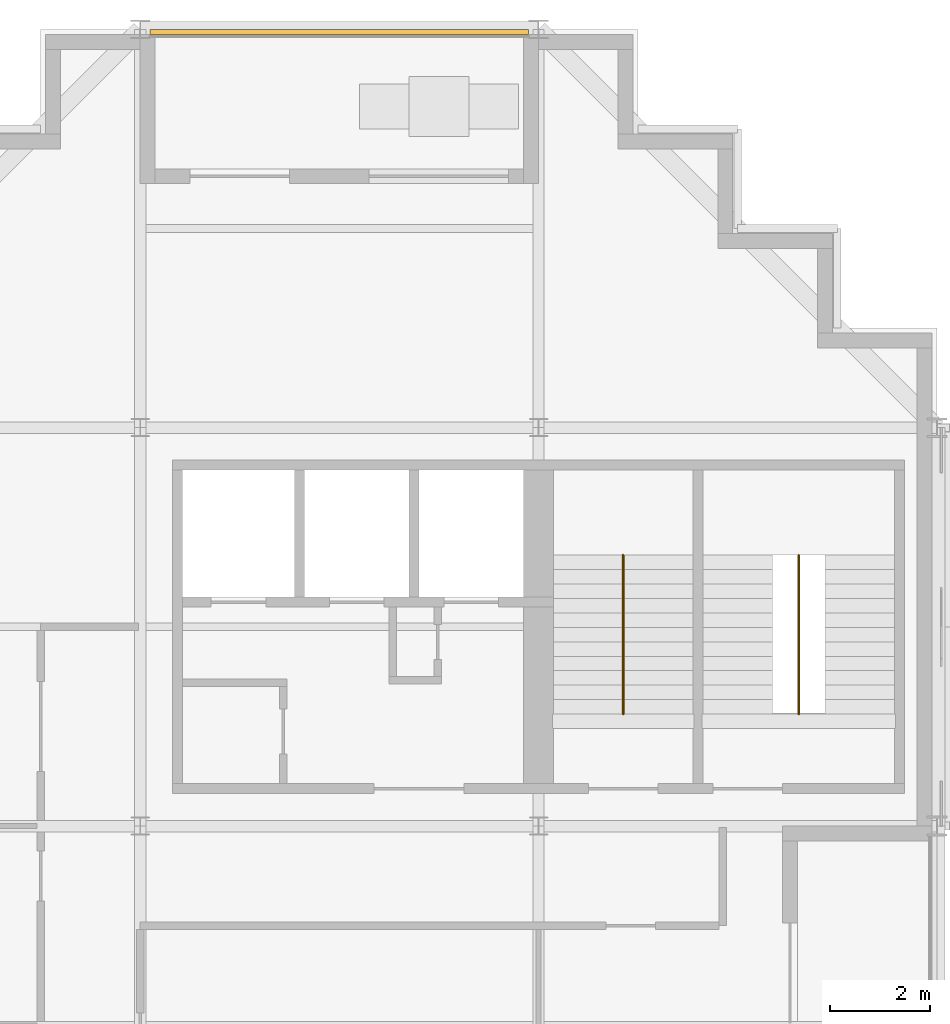
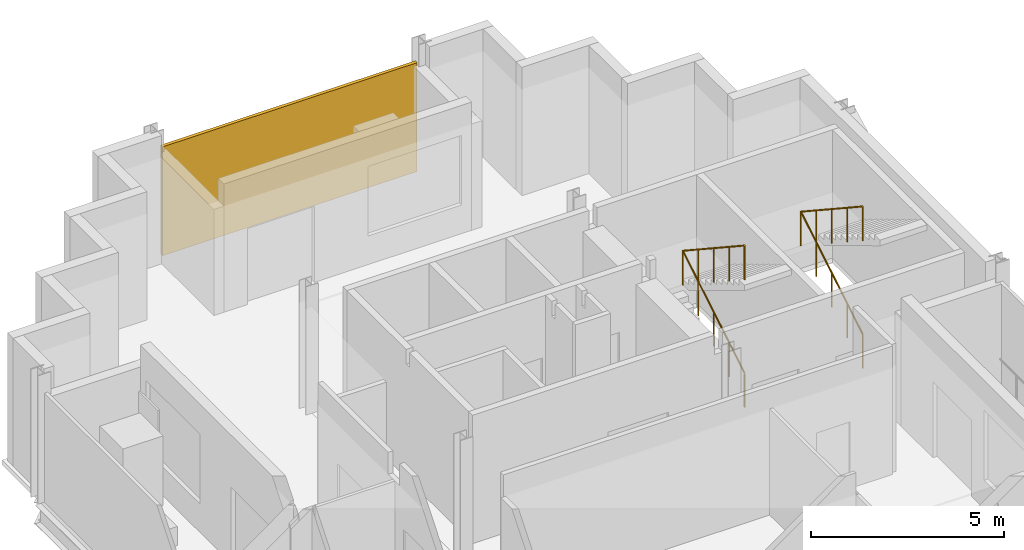
# One storey, part 11 of 12: 2 railings, 1 shading device.
"""IFC4 building model written with IfcOpenShell, lengths in metres."""

from ifc_helpers import new_model, si_unit, direction, frame, origin, origin_2d, place, context, subcontext, project, spatial, rectangle, circle, extrude, material, layer, layer_set, type_object, element, save


model = new_model("IFC4")

# Units and contexts
model_context = context("Model", 3, precision=1e-05, world=origin(), true_north=direction((0.0, 1.0)))
body_context = subcontext(model_context, "Body", "Model", "MODEL_VIEW")
ifc_project = project(units=[si_unit("LENGTHUNIT", "METRE"), si_unit("AREAUNIT", "SQUARE_METRE"), si_unit("VOLUMEUNIT", "CUBIC_METRE"), si_unit("PLANEANGLEUNIT", "RADIAN"), si_unit("MASSUNIT", "GRAM", prefix="KILO")], contexts=[model_context])

# Site, building, storey
site_placement = place(None, origin())
site = spatial("IfcSite", under=ifc_project, at=site_placement, CompositionType="ELEMENT")
building_placement = place(site_placement, origin())
building = spatial("IfcBuilding", under=site, at=building_placement, Name="Immortelle Media Tower", CompositionType="ELEMENT")
storey_placement = place(building_placement, frame((0.0, 0.0, 153.60009765625)))
storey = spatial("IfcBuildingStorey", under=building, at=storey_placement, Name="L31", CompositionType="ELEMENT", Elevation=153.60009765625)

# Shading device
ifc_material_1 = material(Name="Pale aluminium louvre blades", Category="aluminium")
ifc_layer = layer(ifc_material_1, 0.10009765625)
ifc_layer_set = layer_set([ifc_layer], Name="Pale aluminium louvre blades")
shading_device_type = type_object("IfcShadingDeviceType", Name="Jalousie screen 100", PredefinedType="JALOUSIE", material=ifc_layer_set)
shading_device_placement = place(storey_placement, frame((12.0, 47.949951171875, 0.0), z_axis=(0.0, 0.0, 1.0), x_axis=(-1.0, 0.0, 0.0)))
element("IfcShadingDevice", 1, at=shading_device_placement, inside=storey, type_object=shading_device_type, Name="Jalousie screen L31 N0", PredefinedType="JALOUSIE", context=body_context, shape_type="SweptSolid", body=[
    extrude(rectangle(XDim=7.60595703125, YDim=0.10009765625, at=origin_2d()), origin(), (0.0, 0.0, 1.0), 3.43798828125),
])

# Railings
ifc_material_2 = material(Name="Stainless steel AISI 316", Category="steel")
railing_type = type_object("IfcRailingType", Name="Stair guard 1100", PredefinedType="GUARDRAIL", material=ifc_material_2)
for number, where, name in (
    (2, (17.699951171875, 34.25, 0.1748046875), "Stair guard NW1"),
    (3, (21.22509765625, 34.25, 0.1748046875), "Stair guard NW2"),
):
    element("IfcRailing", number, at=place(storey_placement, frame(where)), inside=storey, type_object=railing_type, Name=name, PredefinedType="GUARDRAIL", context=body_context, shape_type="SweptSolid", body=[
        extrude(circle(Radius=0.02392578125, at=origin_2d()), frame((0.0, 0.0, 1.076171875), z_axis=(0.0, 0.856177665481, 0.516681531633), x_axis=(-1.0, 0.0, 0.0)), (0.0, 0.0, 1.0), 3.725830078125),
        extrude(circle(Radius=0.02392578125, at=origin_2d()), frame((0.0, 3.18994140625, 3.0009765625), z_axis=(0.0, -0.835242474824, 0.549881812983), x_axis=(1.0, 0.0, 0.0)), (0.0, 0.0, 1.0), 3.819091796875),
        extrude(circle(Radius=0.02099609375, at=origin_2d()), origin(), (0.0, 0.0, 1.0), 1.052001953125),
        extrude(circle(Radius=0.02099609375, at=origin_2d()), frame((0.0, 0.79736328125, 0.481201171875)), (0.0, 0.0, 1.0), 1.052001953125),
        extrude(circle(Radius=0.02099609375, at=origin_2d()), frame((0.0, 1.594970703125, 0.96240234375)), (0.0, 0.0, 1.0), 1.052001953125),
        extrude(circle(Radius=0.02099609375, at=origin_2d()), frame((0.0, 2.392578125, 1.44384765625)), (0.0, 0.0, 1.0), 1.052001953125),
        extrude(circle(Radius=0.02099609375, at=origin_2d()), frame((0.0, 3.18994140625, 1.925048828125)), (0.0, 0.0, 1.0), 1.052001953125),
        extrude(circle(Radius=0.02099609375, at=origin_2d()), frame((0.0, 2.392578125, 2.4501953125)), (0.0, 0.0, 1.0), 1.052001953125),
        extrude(circle(Radius=0.02099609375, at=origin_2d()), frame((0.0, 1.594970703125, 2.97509765625)), (0.0, 0.0, 1.0), 1.052001953125),
        extrude(circle(Radius=0.02099609375, at=origin_2d()), frame((0.0, 0.79736328125, 3.5)), (0.0, 0.0, 1.0), 1.052001953125),
        extrude(circle(Radius=0.02099609375, at=origin_2d()), frame((0.0, 0.0, 4.025146484375)), (0.0, 0.0, 1.0), 1.052001953125),
    ])

save(model, "model.ifc")
